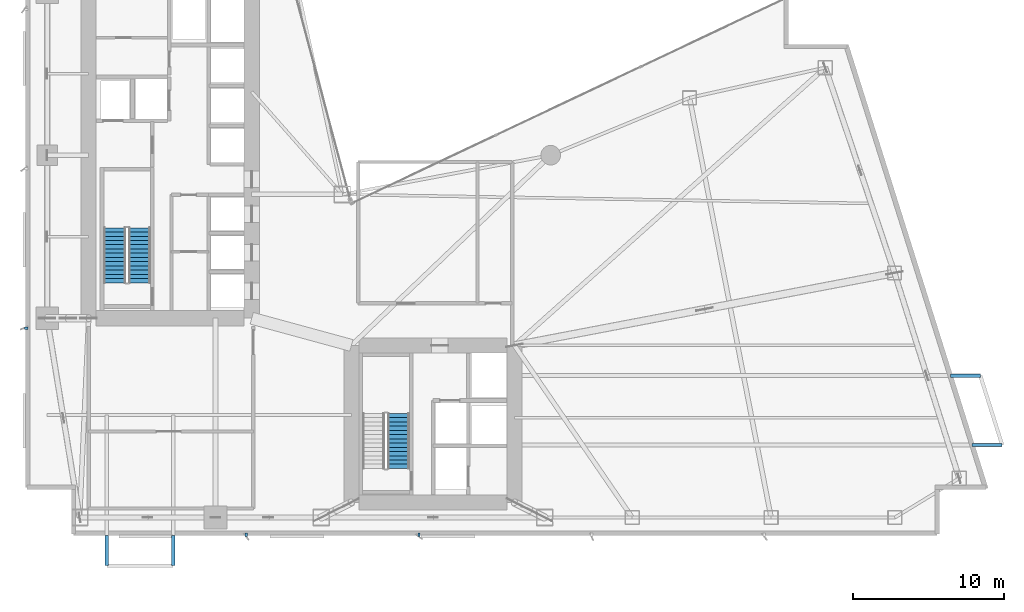
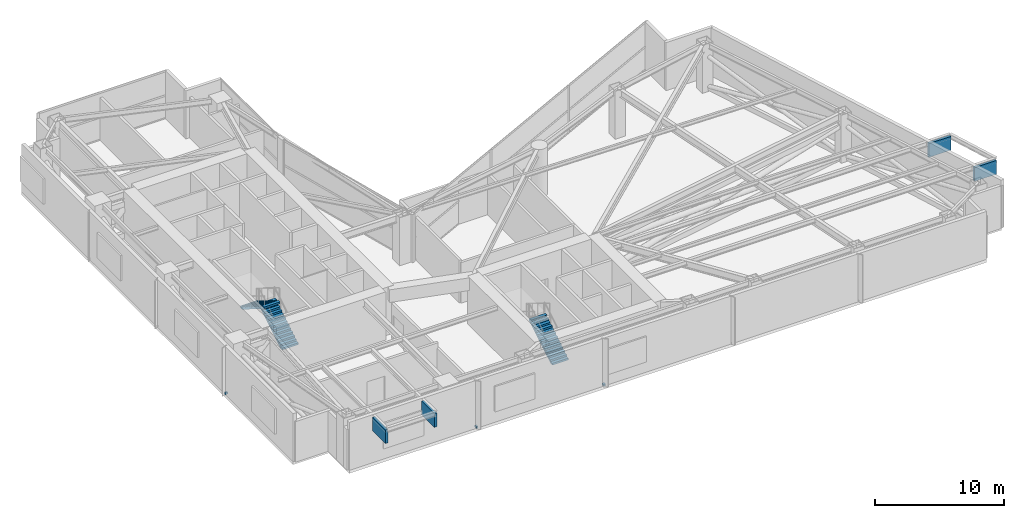
# One storey, part 15 of 18: 7 discrete accessories, 3 stair flights, 2 elements without a shape of their own.
"""IFC4 building model written with IfcOpenShell, lengths in metres."""

from ifc_helpers import new_model, si_unit, direction, frame, origin, origin_2d, place, context, subcontext, project, spatial, polyline, rectangle, outline, extrude, material, type_object, element, aggregate, save


model = new_model("IFC4")

# Units and contexts
model_context = context("Model", 3, precision=1e-05, world=origin(), true_north=direction((0.0, 1.0)))
body_context = subcontext(model_context, "Body", "Model", "MODEL_VIEW")
ifc_project = project(units=[si_unit("LENGTHUNIT", "METRE"), si_unit("AREAUNIT", "SQUARE_METRE"), si_unit("VOLUMEUNIT", "CUBIC_METRE"), si_unit("PLANEANGLEUNIT", "RADIAN"), si_unit("MASSUNIT", "GRAM", prefix="KILO")], contexts=[model_context])

# Site, building, storey
site_placement = place(None, origin())
site = spatial("IfcSite", under=ifc_project, at=site_placement, CompositionType="ELEMENT")
building_placement = place(site_placement, origin())
building = spatial("IfcBuilding", under=site, at=building_placement, Name="Calvorn Quay Hotel", CompositionType="ELEMENT")
storey_placement = place(building_placement, frame((0.0, 0.0, 46.0)))
storey = spatial("IfcBuildingStorey", under=building, at=storey_placement, Name="L10", CompositionType="ELEMENT", Elevation=46.0)

# Stair, stair flights
ifc_material_1 = material(Name="Concrete C40", Category="concrete")
stair_type = type_object("IfcStairType", Name="STR-CORE-DOGLEG", PredefinedType="HALF_TURN_STAIR", material=ifc_material_1)
stair_1_placement = place(storey_placement, origin())
stair_1 = element("IfcStair", 1, at=stair_1_placement, inside=storey, type_object=stair_type, Name="L10 ST-W", PredefinedType="HALF_TURN_STAIR")
ifc_material_2 = material(Name="Concrete C40", Category="concrete")
stair_flight_type = type_object("IfcStairFlightType", Name="FLT-CORE-1550", PredefinedType="STRAIGHT", material=ifc_material_2)
stair_flight_1_placement = place(storey_placement, frame((7.574951171875, 19.14990234375, 0.0), z_axis=(0.0, 0.0, 1.0), x_axis=(0.0, 1.0, 0.0)))
stair_flight_1 = element("IfcStairFlight", 2, at=stair_flight_1_placement, type_object=stair_flight_type, Name="ST-W flight 1", NumberOfRisers=14, NumberOfTreads=13, PredefinedType="STRAIGHT", RiserHeight=0.171428571, TreadLength=0.28, context=body_context, shape_type="SweptSolid", body=[
    extrude(outline(polyline([(0.0, 0.0), (0.0, 0.17138671875), (0.280029296875, 0.17138671875), (0.280029296875, 0.3427734375), (0.56005859375, 0.3427734375), (0.56005859375, 0.514404296875), (0.840087890625, 0.514404296875), (0.840087890625, 0.685791015625), (1.1201171875, 0.685791015625), (1.1201171875, 0.857177734375), (1.39990234375, 0.857177734375), (1.39990234375, 1.028564453125), (1.679931640625, 1.028564453125), (1.679931640625, 1.199951171875), (1.9599609375, 1.199951171875), (1.9599609375, 1.371337890625), (2.239990234375, 1.371337890625), (2.239990234375, 1.54296875), (2.52001953125, 1.54296875), (2.52001953125, 1.71435546875), (2.800048828125, 1.71435546875), (2.800048828125, 1.8857421875), (3.080078125, 1.8857421875), (3.080078125, 2.05712890625), (3.360107421875, 2.05712890625), (3.360107421875, 2.228515625), (3.639892578125, 2.228515625), (3.639892578125, 2.39990234375), (3.639892578125, 2.052734375), (0.287109375, 0.0), (0.0, 0.0)])), frame((0.0, 0.72509765625, 0.0), z_axis=(0.0, -1.0, 0.0), x_axis=(1.0, 0.0, 0.0)), (0.0, 0.0, 1.0), 1.449951171875),
])
stair_flight_2_placement = place(storey_placement, frame((5.925048828125, 22.7900390625, 2.39990234375), z_axis=(0.0, 0.0, 1.0), x_axis=(0.0, -1.0, 0.0)))
stair_flight_2 = element("IfcStairFlight", 3, at=stair_flight_2_placement, type_object=stair_flight_type, Name="ST-W flight 2", NumberOfRisers=14, NumberOfTreads=13, PredefinedType="STRAIGHT", RiserHeight=0.171428571, TreadLength=0.28, context=body_context, shape_type="SweptSolid", body=[
    extrude(outline(polyline([(0.0, 0.0), (0.0, 0.17138671875), (0.280029296875, 0.17138671875), (0.280029296875, 0.3427734375), (0.56005859375, 0.3427734375), (0.56005859375, 0.514404296875), (0.840087890625, 0.514404296875), (0.840087890625, 0.685791015625), (1.1201171875, 0.685791015625), (1.1201171875, 0.857177734375), (1.39990234375, 0.857177734375), (1.39990234375, 1.028564453125), (1.679931640625, 1.028564453125), (1.679931640625, 1.199951171875), (1.9599609375, 1.199951171875), (1.9599609375, 1.371337890625), (2.239990234375, 1.371337890625), (2.239990234375, 1.54296875), (2.52001953125, 1.54296875), (2.52001953125, 1.71435546875), (2.800048828125, 1.71435546875), (2.800048828125, 1.8857421875), (3.080078125, 1.8857421875), (3.080078125, 2.05712890625), (3.360107421875, 2.05712890625), (3.360107421875, 2.228515625), (3.639892578125, 2.228515625), (3.639892578125, 2.39990234375), (3.639892578125, 2.052734375), (0.287109375, 0.0), (0.0, 0.0)])), frame((0.0, 0.72509765625, 0.0), z_axis=(0.0, -1.0, 0.0), x_axis=(1.0, 0.0, 0.0)), (0.0, 0.0, 1.0), 1.449951171875),
])
aggregate(stair_1, [stair_flight_1, stair_flight_2])

# Stair, stair flight
stair_2_placement = place(storey_placement, origin())
stair_2 = element("IfcStair", 4, at=stair_2_placement, inside=storey, type_object=stair_type, Name="L10 ST-E", PredefinedType="HALF_TURN_STAIR")
stair_flight_3_placement = place(storey_placement, frame((24.72509765625, 6.85009765625, 0.0), z_axis=(0.0, 0.0, 1.0), x_axis=(0.0, 1.0, 0.0)))
stair_flight_3 = element("IfcStairFlight", 5, at=stair_flight_3_placement, type_object=stair_flight_type, Name="ST-E flight 1", NumberOfRisers=14, NumberOfTreads=13, PredefinedType="STRAIGHT", RiserHeight=0.171428571, TreadLength=0.28, context=body_context, shape_type="SweptSolid", body=[
    extrude(outline(polyline([(0.0, 0.0), (0.0, 0.17138671875), (0.280029296875, 0.17138671875), (0.280029296875, 0.3427734375), (0.56005859375, 0.3427734375), (0.56005859375, 0.514404296875), (0.840087890625, 0.514404296875), (0.840087890625, 0.685791015625), (1.1201171875, 0.685791015625), (1.1201171875, 0.857177734375), (1.39990234375, 0.857177734375), (1.39990234375, 1.028564453125), (1.679931640625, 1.028564453125), (1.679931640625, 1.199951171875), (1.9599609375, 1.199951171875), (1.9599609375, 1.371337890625), (2.239990234375, 1.371337890625), (2.239990234375, 1.54296875), (2.52001953125, 1.54296875), (2.52001953125, 1.71435546875), (2.800048828125, 1.71435546875), (2.800048828125, 1.8857421875), (3.080078125, 1.8857421875), (3.080078125, 2.05712890625), (3.360107421875, 2.05712890625), (3.360107421875, 2.228515625), (3.639892578125, 2.228515625), (3.639892578125, 2.39990234375), (3.639892578125, 2.052734375), (0.287109375, 0.0), (0.0, 0.0)])), frame((0.0, 0.72509765625, 0.0), z_axis=(0.0, -1.0, 0.0), x_axis=(1.0, 0.0, 0.0)), (0.0, 0.0, 1.0), 1.449951171875),
])
aggregate(stair_2, [stair_flight_3])

# Discrete accessories
ifc_material_3 = material(Name="Steel Q355B", Category="steel")
discrete_accessory_type_1 = type_object("IfcDiscreteAccessoryType", Name="ACC-BALC-STRUT", PredefinedType="BRACKET", material=ifc_material_3)
for number, where, z_axis, x_axis, name in (
    (6, (63.712890625, 8.39990234375, 3.01513671875), (0.0, 0.0, 1.0), (1.0, 0.0, 0.0), "Exterior Balcony Steel Bracket L11-BALC-E-A"),
    (7, (62.262939453125, 13.0, 3.01513671875), (0.0, 0.0, 1.0), (1.0, 0.0, 0.0), "Exterior Balcony Steel Bracket L11-BALC-E-B"),
):
    element("IfcDiscreteAccessory", number, at=place(storey_placement, frame(where, z_axis=z_axis, x_axis=x_axis)), inside=storey, type_object=discrete_accessory_type_1, Name=name, PredefinedType="BRACKET", context=body_context, shape_type="SweptSolid", body=[
        extrude(rectangle(XDim=1.989990234375, YDim=0.219970703125, at=origin_2d()), origin(), (0.0, 0.0, 1.0), 1.300048828125),
    ])
for number, where, z_axis, x_axis, name in (
    (8, (5.39990234375, 1.405029296875, 3.01513671875), (0.0, 0.0, 1.0), (1.0, 0.0, 0.0), "Exterior Balcony Steel Bracket L11-BALC-S-A"),
    (9, (9.800048828125, 1.405029296875, 3.01513671875), (0.0, 0.0, 1.0), (1.0, 0.0, 0.0), "Exterior Balcony Steel Bracket L11-BALC-S-B"),
):
    element("IfcDiscreteAccessory", number, at=place(storey_placement, frame(where, z_axis=z_axis, x_axis=x_axis)), inside=storey, type_object=discrete_accessory_type_1, Name=name, PredefinedType="BRACKET", context=body_context, shape_type="SweptSolid", body=[
        extrude(rectangle(XDim=0.219970703125, YDim=1.989990234375, at=origin_2d()), origin(), (0.0, 0.0, 1.0), 1.300048828125),
    ])
ifc_material_4 = material(Name="Steel Q355B", Category="steel")
discrete_accessory_type_2 = type_object("IfcDiscreteAccessoryType", Name="ACC-FIN-BRACKET", PredefinedType="BRACKET", material=ifc_material_4)
for number, where, z_axis, x_axis, name in (
    (10, (0.06005859375, 16.14990234375, 0.0302734375), (0.0, 0.0, 1.0), (1.0, 0.0, 0.0), "Fin Anchor Bracket L10-W01"),
    (11, (14.639892578125, 2.4599609375, 0.0302734375), (0.0, 0.0, 1.0), (0.0, 1.0, 0.0), "Fin Anchor Bracket L10-S01"),
    (12, (26.080078125, 2.4599609375, 0.0302734375), (0.0, 0.0, 1.0), (0.0, 1.0, 0.0), "Fin Anchor Bracket L10-S02"),
):
    element("IfcDiscreteAccessory", number, at=place(storey_placement, frame(where, z_axis=z_axis, x_axis=x_axis)), inside=storey, type_object=discrete_accessory_type_2, Name=name, PredefinedType="BRACKET", context=body_context, shape_type="SweptSolid", body=[
        extrude(rectangle(XDim=0.239990234375, YDim=0.159912109375, at=origin_2d()), origin(), (0.0, 0.0, 1.0), 0.179931640625),
    ])

save(model, "model.ifc")
